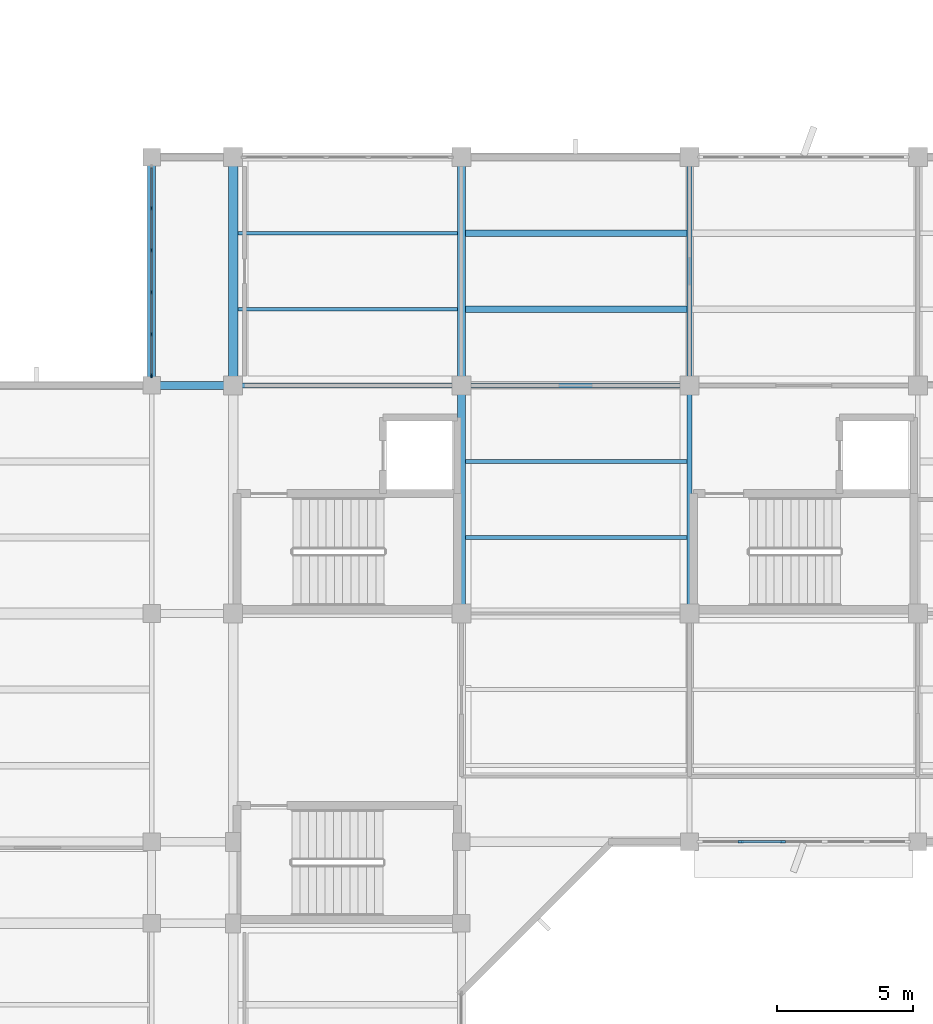
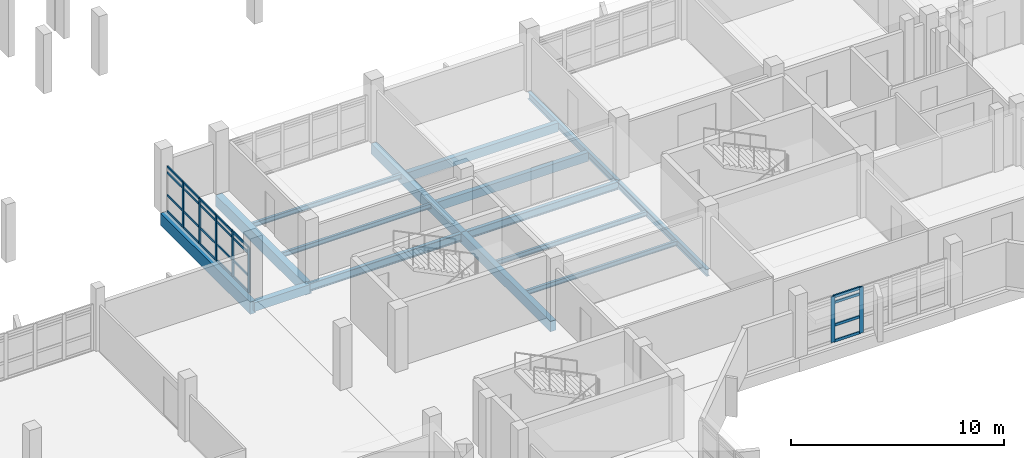
# One storey, part 39 of 104: 31 members, 15 beams, 2 elements without a shape of their own.
"""IFC4 building model written with IfcOpenShell, lengths in metres."""

from ifc_helpers import new_model, si_unit, direction, frame, origin, origin_2d, place, context, subcontext, project, spatial, rectangle, i_section, extrude, material, material_profile, profile_set, type_object, element, aggregate, save


model = new_model("IFC4")

# Units and contexts
model_context = context("Model", 3, precision=1e-05, world=origin(), true_north=direction((0.0, 1.0)))
body_context = subcontext(model_context, "Body", "Model", "MODEL_VIEW")
ifc_project = project(units=[si_unit("LENGTHUNIT", "METRE"), si_unit("AREAUNIT", "SQUARE_METRE"), si_unit("VOLUMEUNIT", "CUBIC_METRE"), si_unit("PLANEANGLEUNIT", "RADIAN"), si_unit("MASSUNIT", "GRAM", prefix="KILO")], contexts=[model_context])

# Site, building, storey
site_placement = place(None, origin())
site = spatial("IfcSite", under=ifc_project, at=site_placement, CompositionType="ELEMENT")
building_placement = place(site_placement, origin())
building = spatial("IfcBuilding", under=site, at=building_placement, Name="Vanh Quang Courtyard School", CompositionType="ELEMENT")
storey_placement = place(building_placement, frame((0.0, 0.0, 4.199951171875)))
storey = spatial("IfcBuildingStorey", under=building, at=storey_placement, Name="L01", CompositionType="ELEMENT", Elevation=4.199951171875)

# Beams
ifc_material_1 = material(Name="Concrete C35/45", Category="concrete")
ifc_material_profile_1 = material_profile(ifc_material_1, rectangle(XDim=0.300048828125, YDim=0.5, at=origin_2d()), Name="RC-BM 300x500")
ifc_profile_set_1 = profile_set([ifc_material_profile_1], Name="Concrete C35/45")
beam_type_1 = type_object("IfcBeamType", Name="BM-RC-300x500", PredefinedType="BEAM", material=ifc_profile_set_1)
beam_1_placement = place(storey_placement, frame((74.39990234375, 88.199951171875, -0.530029296875), z_axis=(1.0, 0.0, 0.0), x_axis=(0.0, 1.0, 0.0)))
element("IfcBeam", 1, at=beam_1_placement, inside=storey, type_object=beam_type_1, Name="Beam B-08 (L01)", PredefinedType="BEAM", context=body_context, shape_type="SweptSolid", body=[
    extrude(rectangle(XDim=0.300048828125, YDim=0.5, at=origin_2d()), origin(), (0.0, 0.0, 1.0), 3.0),
])
ifc_material_profile_2 = material_profile(ifc_material_1, rectangle(XDim=0.300048828125, YDim=0.60009765625, at=origin_2d()), Name="RC-BM 300x600")
ifc_profile_set_2 = profile_set([ifc_material_profile_2], Name="Concrete C35/45")
beam_type_2 = type_object("IfcBeamType", Name="BM-RC-300x600", PredefinedType="BEAM", material=ifc_profile_set_2)
beam_2_placement = place(storey_placement, frame((85.800048828125, 79.800048828125, -0.579833984375), z_axis=(0.0, 1.0, 0.0), x_axis=(-1.0, 0.0, 0.0)))
element("IfcBeam", 2, at=beam_2_placement, inside=storey, type_object=beam_type_2, Name="Beam B-06 (L01)", PredefinedType="BEAM", context=body_context, shape_type="SweptSolid", body=[
    extrude(rectangle(XDim=0.300048828125, YDim=0.60009765625, at=origin_2d()), origin(), (0.0, 0.0, 1.0), 8.39990234375),
])
beam_3_placement = place(storey_placement, frame((85.800048828125, 88.199951171875, -0.579833984375), z_axis=(0.0, 1.0, 0.0), x_axis=(-1.0, 0.0, 0.0)))
element("IfcBeam", 3, at=beam_3_placement, inside=storey, type_object=beam_type_2, Name="Beam B-06 (L01)", PredefinedType="BEAM", context=body_context, shape_type="SweptSolid", body=[
    extrude(rectangle(XDim=0.300048828125, YDim=0.60009765625, at=origin_2d()), origin(), (0.0, 0.0, 1.0), 8.400146484375),
])
ifc_material_profile_3 = material_profile(ifc_material_1, rectangle(XDim=0.35009765625, YDim=0.64990234375, at=origin_2d()), Name="RC-BM 350x650")
ifc_profile_set_3 = profile_set([ifc_material_profile_3], Name="Concrete C35/45")
beam_type_3 = type_object("IfcBeamType", Name="BM-RC-350x650", PredefinedType="BEAM", material=ifc_profile_set_3)
beam_4_placement = place(storey_placement, frame((77.39990234375, 88.199951171875, -0.60498046875), z_axis=(0.0, 1.0, 0.0), x_axis=(-1.0, 0.0, 0.0)))
element("IfcBeam", 4, at=beam_4_placement, inside=storey, type_object=beam_type_3, Name="Beam B-05 (L01)", PredefinedType="BEAM", context=body_context, shape_type="SweptSolid", body=[
    extrude(rectangle(XDim=0.35009765625, YDim=0.64990234375, at=origin_2d()), origin(), (0.0, 0.0, 1.0), 8.400146484375),
])
ifc_material_profile_4 = material_profile(ifc_material_1, rectangle(XDim=0.300048828125, YDim=0.699951171875, at=origin_2d()), Name="RC-SP 300x700")
ifc_profile_set_4 = profile_set([ifc_material_profile_4], Name="Concrete C35/45")
beam_type_4 = type_object("IfcBeamType", Name="BM-SP-300x700", PredefinedType="SPANDREL", material=ifc_profile_set_4)
beam_5_placement = place(storey_placement, frame((74.39990234375, 88.199951171875, -0.6298828125), z_axis=(0.0, 1.0, 0.0), x_axis=(-1.0, 0.0, 0.0)))
element("IfcBeam", 5, at=beam_5_placement, inside=storey, type_object=beam_type_4, Name="Beam BS-01 (L01)", PredefinedType="SPANDREL", context=body_context, shape_type="SweptSolid", body=[
    extrude(rectangle(XDim=0.300048828125, YDim=0.699951171875, at=origin_2d()), origin(), (0.0, 0.0, 1.0), 8.400146484375),
])
ifc_material_2 = material(Name="Structural steel EN 10025-2 S355J2", Category="steel")
ifc_material_profile_5 = material_profile(ifc_material_2, i_section(OverallWidth=0.179931640625, OverallDepth=0.39990234375, WebThickness=0.008544921875, FlangeThickness=0.013427734375, FilletRadius=0.02099609375, at=origin_2d()), Name="IPE 400")
ifc_profile_set_5 = profile_set([ifc_material_profile_5], Name="Structural steel EN 10025-2 S355J2")
beam_type_5 = type_object("IfcBeamType", Name="BM-STL-IPE400", PredefinedType="BEAM", material=ifc_profile_set_5)
beam_6_placement = place(storey_placement, frame((94.199951171875, 79.800048828125, -0.47998046875), z_axis=(0.0, 1.0, 0.0), x_axis=(-1.0, 0.0, 0.0)))
element("IfcBeam", 6, at=beam_6_placement, inside=storey, type_object=beam_type_5, Name="Beam SB-05 (L01)", PredefinedType="BEAM", context=body_context, shape_type="SweptSolid", body=[
    extrude(i_section(OverallWidth=0.179931640625, OverallDepth=0.39990234375, WebThickness=0.008544921875, FlangeThickness=0.013427734375, FilletRadius=0.02099609375, at=origin_2d()), origin(), (0.0, 0.0, 1.0), 8.39990234375),
])
beam_7_placement = place(storey_placement, frame((94.199951171875, 88.199951171875, -0.47998046875), z_axis=(0.0, 1.0, 0.0), x_axis=(-1.0, 0.0, 0.0)))
element("IfcBeam", 7, at=beam_7_placement, inside=storey, type_object=beam_type_5, Name="Beam SB-05 (L01)", PredefinedType="BEAM", context=body_context, shape_type="SweptSolid", body=[
    extrude(i_section(OverallWidth=0.179931640625, OverallDepth=0.39990234375, WebThickness=0.008544921875, FlangeThickness=0.013427734375, FilletRadius=0.02099609375, at=origin_2d()), origin(), (0.0, 0.0, 1.0), 8.400146484375),
])
ifc_material_profile_6 = material_profile(ifc_material_2, i_section(OverallWidth=0.18994140625, OverallDepth=0.449951171875, WebThickness=0.009521484375, FlangeThickness=0.0146484375, FilletRadius=0.02099609375, at=origin_2d()), Name="IPE 450")
ifc_profile_set_6 = profile_set([ifc_material_profile_6], Name="Structural steel EN 10025-2 S355J2")
beam_type_6 = type_object("IfcBeamType", Name="BM-STL-IPE450", PredefinedType="BEAM", material=ifc_profile_set_6)
beam_8_placement = place(storey_placement, frame((77.39990234375, 88.199951171875, -0.5048828125), z_axis=(1.0, 0.0, 0.0), x_axis=(0.0, 1.0, 0.0)))
element("IfcBeam", 8, at=beam_8_placement, inside=storey, type_object=beam_type_6, Name="Beam SB-04 (L01)", PredefinedType="BEAM", context=body_context, shape_type="SweptSolid", body=[
    extrude(i_section(OverallWidth=0.18994140625, OverallDepth=0.449951171875, WebThickness=0.009521484375, FlangeThickness=0.0146484375, FilletRadius=0.02099609375, at=origin_2d()), origin(), (0.0, 0.0, 1.0), 8.400146484375),
])
beam_9_placement = place(storey_placement, frame((85.800048828125, 88.199951171875, -0.5048828125), z_axis=(1.0, 0.0, 0.0), x_axis=(0.0, 1.0, 0.0)))
element("IfcBeam", 9, at=beam_9_placement, inside=storey, type_object=beam_type_6, Name="Beam SB-04 (L01)", PredefinedType="BEAM", context=body_context, shape_type="SweptSolid", body=[
    extrude(i_section(OverallWidth=0.18994140625, OverallDepth=0.449951171875, WebThickness=0.009521484375, FlangeThickness=0.0146484375, FilletRadius=0.02099609375, at=origin_2d()), origin(), (0.0, 0.0, 1.0), 8.39990234375),
])

# Curtain wall, members
ifc_material_3 = material(Name="Thermally broken aluminium unitised curtain wall", Category="aluminium")
curtain_wall_type = type_object("IfcCurtainWallType", Name="CW-SYS-21", PredefinedType="NOTDEFINED", material=ifc_material_3)
curtain_wall_1_placement = place(storey_placement, origin())
curtain_wall_1 = element("IfcCurtainWall", 10, at=curtain_wall_1_placement, inside=storey, type_object=curtain_wall_type, Name="Curtain Wall CW-21 (L01)", PredefinedType="NOTDEFINED")
ifc_material_4 = material(Name="Anodised aluminium 6063-T6", Category="aluminium")
ifc_material_profile_7 = material_profile(ifc_material_4, rectangle(XDim=0.06005859375, YDim=0.159912109375, at=origin_2d()), Name="ALU-MUL 60x160")
ifc_profile_set_7 = profile_set([ifc_material_profile_7], Name="Anodised aluminium 6063-T6")
member_type_1 = type_object("IfcMemberType", Name="CW-MUL-60x160", PredefinedType="MULLION", material=ifc_profile_set_7)
member_1_placement = place(storey_placement, frame((74.39990234375, 88.56298828125, 0.0), z_axis=(0.0, 0.0, 1.0), x_axis=(-1.0, 0.0, 0.0)))
member_1 = element("IfcMember", 11, at=member_1_placement, type_object=member_type_1, Name="CW-21 mullion 1", PredefinedType="MULLION", context=body_context, shape_type="SweptSolid", body=[
    extrude(rectangle(XDim=0.06005859375, YDim=0.159912109375, at=origin_2d()), origin(), (0.0, 0.0, 1.0), 2.60009765625),
])
member_2_placement = place(storey_placement, frame((74.39990234375, 90.079833984375, 0.0), z_axis=(0.0, 0.0, 1.0), x_axis=(-1.0, 0.0, 0.0)))
member_2 = element("IfcMember", 12, at=member_2_placement, type_object=member_type_1, Name="CW-21 mullion 2", PredefinedType="MULLION", context=body_context, shape_type="SweptSolid", body=[
    extrude(rectangle(XDim=0.06005859375, YDim=0.159912109375, at=origin_2d()), origin(), (0.0, 0.0, 1.0), 2.60009765625),
])
member_3_placement = place(storey_placement, frame((74.39990234375, 91.626708984375, 0.0), z_axis=(0.0, 0.0, 1.0), x_axis=(-1.0, 0.0, 0.0)))
member_3 = element("IfcMember", 13, at=member_3_placement, type_object=member_type_1, Name="CW-21 mullion 3", PredefinedType="MULLION", context=body_context, shape_type="SweptSolid", body=[
    extrude(rectangle(XDim=0.06005859375, YDim=0.159912109375, at=origin_2d()), origin(), (0.0, 0.0, 1.0), 2.60009765625),
])
member_4_placement = place(storey_placement, frame((74.39990234375, 93.17333984375, 0.0), z_axis=(0.0, 0.0, 1.0), x_axis=(-1.0, 0.0, 0.0)))
member_4 = element("IfcMember", 14, at=member_4_placement, type_object=member_type_1, Name="CW-21 mullion 4", PredefinedType="MULLION", context=body_context, shape_type="SweptSolid", body=[
    extrude(rectangle(XDim=0.06005859375, YDim=0.159912109375, at=origin_2d()), origin(), (0.0, 0.0, 1.0), 2.60009765625),
])
member_5_placement = place(storey_placement, frame((74.39990234375, 94.72021484375, 0.0), z_axis=(0.0, 0.0, 1.0), x_axis=(-1.0, 0.0, 0.0)))
member_5 = element("IfcMember", 15, at=member_5_placement, type_object=member_type_1, Name="CW-21 mullion 5", PredefinedType="MULLION", context=body_context, shape_type="SweptSolid", body=[
    extrude(rectangle(XDim=0.06005859375, YDim=0.159912109375, at=origin_2d()), origin(), (0.0, 0.0, 1.0), 2.60009765625),
])

curtain_wall_2_placement = place(storey_placement, origin())
curtain_wall_2 = element("IfcCurtainWall", 16, at=curtain_wall_2_placement, inside=storey, type_object=curtain_wall_type, Name="Curtain Wall CW-21 (L01)", PredefinedType="NOTDEFINED")
ifc_material_profile_8 = material_profile(ifc_material_4, rectangle(XDim=0.080078125, YDim=0.199951171875, at=origin_2d()), Name="ALU-MUL 80x200")
ifc_profile_set_8 = profile_set([ifc_material_profile_8], Name="Anodised aluminium 6063-T6")
member_type_2 = type_object("IfcMemberType", Name="CW-MUL-80x200", PredefinedType="MULLION", material=ifc_profile_set_8)
member_6_placement = place(storey_placement, frame((97.626708984375, 71.39990234375, 0.0), z_axis=(0.0, 0.0, 1.0), x_axis=(0.0, -1.0, 0.0)))
member_6 = element("IfcMember", 17, at=member_6_placement, type_object=member_type_2, Name="CW-21 mullion 4", PredefinedType="MULLION", context=body_context, shape_type="SweptSolid", body=[
    extrude(rectangle(XDim=0.080078125, YDim=0.199951171875, at=origin_2d()), origin(), (0.0, 0.0, 1.0), 2.6201171875),
])
member_7_placement = place(storey_placement, frame((96.079833984375, 71.39990234375, 0.0), z_axis=(0.0, 0.0, 1.0), x_axis=(0.0, -1.0, 0.0)))
member_7 = element("IfcMember", 18, at=member_7_placement, type_object=member_type_2, Name="CW-21 mullion 5", PredefinedType="MULLION", context=body_context, shape_type="SweptSolid", body=[
    extrude(rectangle(XDim=0.080078125, YDim=0.199951171875, at=origin_2d()), origin(), (0.0, 0.0, 1.0), 2.6201171875),
])

# Member
ifc_material_profile_9 = material_profile(ifc_material_4, rectangle(XDim=0.06005859375, YDim=0.1201171875, at=origin_2d()), Name="ALU-TRN 60x120")
ifc_profile_set_9 = profile_set([ifc_material_profile_9], Name="Anodised aluminium 6063-T6")
member_type_3 = type_object("IfcMemberType", Name="CW-TRN-60x120", PredefinedType="USERDEFINED", material=ifc_profile_set_9)
member_8_placement = place(storey_placement, frame((74.39990234375, 88.593017578125, 0.030029296875), z_axis=(0.0, 1.0, 0.0), x_axis=(-1.0, 0.0, 0.0)))
member_8 = element("IfcMember", 19, at=member_8_placement, type_object=member_type_3, Name="CW-21 transom 1.1", ObjectType="TRANSOM", PredefinedType="USERDEFINED", context=body_context, shape_type="SweptSolid", body=[
    extrude(rectangle(XDim=0.06005859375, YDim=0.1201171875, at=origin_2d()), origin(), (0.0, 0.0, 1.0), 1.456787109375),
])

member_9_placement = place(storey_placement, frame((74.39990234375, 88.593017578125, 0.949951171875), z_axis=(0.0, 1.0, 0.0), x_axis=(-1.0, 0.0, 0.0)))
member_9 = element("IfcMember", 20, at=member_9_placement, type_object=member_type_3, Name="CW-21 transom 1.2", ObjectType="TRANSOM", PredefinedType="USERDEFINED", context=body_context, shape_type="SweptSolid", body=[
    extrude(rectangle(XDim=0.06005859375, YDim=0.1201171875, at=origin_2d()), origin(), (0.0, 0.0, 1.0), 1.456787109375),
])

member_10_placement = place(storey_placement, frame((74.39990234375, 88.593017578125, 2.25), z_axis=(0.0, 1.0, 0.0), x_axis=(-1.0, 0.0, 0.0)))
member_10 = element("IfcMember", 21, at=member_10_placement, type_object=member_type_3, Name="CW-21 transom 1.3", ObjectType="TRANSOM", PredefinedType="USERDEFINED", context=body_context, shape_type="SweptSolid", body=[
    extrude(rectangle(XDim=0.06005859375, YDim=0.1201171875, at=origin_2d()), origin(), (0.0, 0.0, 1.0), 1.456787109375),
])

member_11_placement = place(storey_placement, frame((74.39990234375, 88.593017578125, 2.570068359375), z_axis=(0.0, 1.0, 0.0), x_axis=(-1.0, 0.0, 0.0)))
member_11 = element("IfcMember", 22, at=member_11_placement, type_object=member_type_3, Name="CW-21 transom 1.4", ObjectType="TRANSOM", PredefinedType="USERDEFINED", context=body_context, shape_type="SweptSolid", body=[
    extrude(rectangle(XDim=0.06005859375, YDim=0.1201171875, at=origin_2d()), origin(), (0.0, 0.0, 1.0), 1.456787109375),
])

member_12_placement = place(storey_placement, frame((74.39990234375, 90.10986328125, 0.030029296875), z_axis=(0.0, 1.0, 0.0), x_axis=(-1.0, 0.0, 0.0)))
member_12 = element("IfcMember", 23, at=member_12_placement, type_object=member_type_3, Name="CW-21 transom 2.1", ObjectType="TRANSOM", PredefinedType="USERDEFINED", context=body_context, shape_type="SweptSolid", body=[
    extrude(rectangle(XDim=0.06005859375, YDim=0.1201171875, at=origin_2d()), origin(), (0.0, 0.0, 1.0), 1.48681640625),
])

member_13_placement = place(storey_placement, frame((74.39990234375, 90.10986328125, 0.949951171875), z_axis=(0.0, 1.0, 0.0), x_axis=(-1.0, 0.0, 0.0)))
member_13 = element("IfcMember", 24, at=member_13_placement, type_object=member_type_3, Name="CW-21 transom 2.2", ObjectType="TRANSOM", PredefinedType="USERDEFINED", context=body_context, shape_type="SweptSolid", body=[
    extrude(rectangle(XDim=0.06005859375, YDim=0.1201171875, at=origin_2d()), origin(), (0.0, 0.0, 1.0), 1.48681640625),
])

member_14_placement = place(storey_placement, frame((74.39990234375, 90.10986328125, 2.25), z_axis=(0.0, 1.0, 0.0), x_axis=(-1.0, 0.0, 0.0)))
member_14 = element("IfcMember", 25, at=member_14_placement, type_object=member_type_3, Name="CW-21 transom 2.3", ObjectType="TRANSOM", PredefinedType="USERDEFINED", context=body_context, shape_type="SweptSolid", body=[
    extrude(rectangle(XDim=0.06005859375, YDim=0.1201171875, at=origin_2d()), origin(), (0.0, 0.0, 1.0), 1.48681640625),
])

member_15_placement = place(storey_placement, frame((74.39990234375, 90.10986328125, 2.570068359375), z_axis=(0.0, 1.0, 0.0), x_axis=(-1.0, 0.0, 0.0)))
member_15 = element("IfcMember", 26, at=member_15_placement, type_object=member_type_3, Name="CW-21 transom 2.4", ObjectType="TRANSOM", PredefinedType="USERDEFINED", context=body_context, shape_type="SweptSolid", body=[
    extrude(rectangle(XDim=0.06005859375, YDim=0.1201171875, at=origin_2d()), origin(), (0.0, 0.0, 1.0), 1.48681640625),
])

member_16_placement = place(storey_placement, frame((74.39990234375, 91.656494140625, 0.030029296875), z_axis=(0.0, 1.0, 0.0), x_axis=(-1.0, 0.0, 0.0)))
member_16 = element("IfcMember", 27, at=member_16_placement, type_object=member_type_3, Name="CW-21 transom 3.1", ObjectType="TRANSOM", PredefinedType="USERDEFINED", context=body_context, shape_type="SweptSolid", body=[
    extrude(rectangle(XDim=0.06005859375, YDim=0.1201171875, at=origin_2d()), origin(), (0.0, 0.0, 1.0), 1.48681640625),
])

member_17_placement = place(storey_placement, frame((74.39990234375, 91.656494140625, 0.949951171875), z_axis=(0.0, 1.0, 0.0), x_axis=(-1.0, 0.0, 0.0)))
member_17 = element("IfcMember", 28, at=member_17_placement, type_object=member_type_3, Name="CW-21 transom 3.2", ObjectType="TRANSOM", PredefinedType="USERDEFINED", context=body_context, shape_type="SweptSolid", body=[
    extrude(rectangle(XDim=0.06005859375, YDim=0.1201171875, at=origin_2d()), origin(), (0.0, 0.0, 1.0), 1.48681640625),
])

member_18_placement = place(storey_placement, frame((74.39990234375, 91.656494140625, 2.25), z_axis=(0.0, 1.0, 0.0), x_axis=(-1.0, 0.0, 0.0)))
member_18 = element("IfcMember", 29, at=member_18_placement, type_object=member_type_3, Name="CW-21 transom 3.3", ObjectType="TRANSOM", PredefinedType="USERDEFINED", context=body_context, shape_type="SweptSolid", body=[
    extrude(rectangle(XDim=0.06005859375, YDim=0.1201171875, at=origin_2d()), origin(), (0.0, 0.0, 1.0), 1.48681640625),
])

member_19_placement = place(storey_placement, frame((74.39990234375, 91.656494140625, 2.570068359375), z_axis=(0.0, 1.0, 0.0), x_axis=(-1.0, 0.0, 0.0)))
member_19 = element("IfcMember", 30, at=member_19_placement, type_object=member_type_3, Name="CW-21 transom 3.4", ObjectType="TRANSOM", PredefinedType="USERDEFINED", context=body_context, shape_type="SweptSolid", body=[
    extrude(rectangle(XDim=0.06005859375, YDim=0.1201171875, at=origin_2d()), origin(), (0.0, 0.0, 1.0), 1.48681640625),
])

member_20_placement = place(storey_placement, frame((74.39990234375, 93.203369140625, 0.030029296875), z_axis=(0.0, 1.0, 0.0), x_axis=(-1.0, 0.0, 0.0)))
member_20 = element("IfcMember", 31, at=member_20_placement, type_object=member_type_3, Name="CW-21 transom 4.1", ObjectType="TRANSOM", PredefinedType="USERDEFINED", context=body_context, shape_type="SweptSolid", body=[
    extrude(rectangle(XDim=0.06005859375, YDim=0.1201171875, at=origin_2d()), origin(), (0.0, 0.0, 1.0), 1.48681640625),
])

member_21_placement = place(storey_placement, frame((74.39990234375, 93.203369140625, 0.949951171875), z_axis=(0.0, 1.0, 0.0), x_axis=(-1.0, 0.0, 0.0)))
member_21 = element("IfcMember", 32, at=member_21_placement, type_object=member_type_3, Name="CW-21 transom 4.2", ObjectType="TRANSOM", PredefinedType="USERDEFINED", context=body_context, shape_type="SweptSolid", body=[
    extrude(rectangle(XDim=0.06005859375, YDim=0.1201171875, at=origin_2d()), origin(), (0.0, 0.0, 1.0), 1.48681640625),
])

member_22_placement = place(storey_placement, frame((74.39990234375, 93.203369140625, 2.25), z_axis=(0.0, 1.0, 0.0), x_axis=(-1.0, 0.0, 0.0)))
member_22 = element("IfcMember", 33, at=member_22_placement, type_object=member_type_3, Name="CW-21 transom 4.3", ObjectType="TRANSOM", PredefinedType="USERDEFINED", context=body_context, shape_type="SweptSolid", body=[
    extrude(rectangle(XDim=0.06005859375, YDim=0.1201171875, at=origin_2d()), origin(), (0.0, 0.0, 1.0), 1.48681640625),
])

member_23_placement = place(storey_placement, frame((74.39990234375, 93.203369140625, 2.570068359375), z_axis=(0.0, 1.0, 0.0), x_axis=(-1.0, 0.0, 0.0)))
member_23 = element("IfcMember", 34, at=member_23_placement, type_object=member_type_3, Name="CW-21 transom 4.4", ObjectType="TRANSOM", PredefinedType="USERDEFINED", context=body_context, shape_type="SweptSolid", body=[
    extrude(rectangle(XDim=0.06005859375, YDim=0.1201171875, at=origin_2d()), origin(), (0.0, 0.0, 1.0), 1.48681640625),
])

member_24_placement = place(storey_placement, frame((74.39990234375, 94.750244140625, 0.030029296875), z_axis=(0.0, 1.0, 0.0), x_axis=(-1.0, 0.0, 0.0)))
member_24 = element("IfcMember", 35, at=member_24_placement, type_object=member_type_3, Name="CW-21 transom 5.1", ObjectType="TRANSOM", PredefinedType="USERDEFINED", context=body_context, shape_type="SweptSolid", body=[
    extrude(rectangle(XDim=0.06005859375, YDim=0.1201171875, at=origin_2d()), origin(), (0.0, 0.0, 1.0), 1.456787109375),
])

member_25_placement = place(storey_placement, frame((74.39990234375, 94.750244140625, 0.949951171875), z_axis=(0.0, 1.0, 0.0), x_axis=(-1.0, 0.0, 0.0)))
member_25 = element("IfcMember", 36, at=member_25_placement, type_object=member_type_3, Name="CW-21 transom 5.2", ObjectType="TRANSOM", PredefinedType="USERDEFINED", context=body_context, shape_type="SweptSolid", body=[
    extrude(rectangle(XDim=0.06005859375, YDim=0.1201171875, at=origin_2d()), origin(), (0.0, 0.0, 1.0), 1.456787109375),
])

member_26_placement = place(storey_placement, frame((74.39990234375, 94.750244140625, 2.25), z_axis=(0.0, 1.0, 0.0), x_axis=(-1.0, 0.0, 0.0)))
member_26 = element("IfcMember", 37, at=member_26_placement, type_object=member_type_3, Name="CW-21 transom 5.3", ObjectType="TRANSOM", PredefinedType="USERDEFINED", context=body_context, shape_type="SweptSolid", body=[
    extrude(rectangle(XDim=0.06005859375, YDim=0.1201171875, at=origin_2d()), origin(), (0.0, 0.0, 1.0), 1.456787109375),
])

member_27_placement = place(storey_placement, frame((74.39990234375, 94.750244140625, 2.570068359375), z_axis=(0.0, 1.0, 0.0), x_axis=(-1.0, 0.0, 0.0)))
member_27 = element("IfcMember", 38, at=member_27_placement, type_object=member_type_3, Name="CW-21 transom 5.4", ObjectType="TRANSOM", PredefinedType="USERDEFINED", context=body_context, shape_type="SweptSolid", body=[
    extrude(rectangle(XDim=0.06005859375, YDim=0.1201171875, at=origin_2d()), origin(), (0.0, 0.0, 1.0), 1.456787109375),
])

aggregate(curtain_wall_1, [member_1, member_2, member_3, member_4, member_5, member_8, member_9, member_10, member_11, member_12, member_13, member_14, member_15, member_16, member_17, member_18, member_19, member_20, member_21, member_22, member_23, member_24, member_25, member_26, member_27])

ifc_material_profile_10 = material_profile(ifc_material_4, rectangle(XDim=0.080078125, YDim=0.14990234375, at=origin_2d()), Name="ALU-TRN 80x150")
ifc_profile_set_10 = profile_set([ifc_material_profile_10], Name="Anodised aluminium 6063-T6")
member_type_4 = type_object("IfcMemberType", Name="CW-TRN-80x150", PredefinedType="USERDEFINED", material=ifc_profile_set_10)
member_28_placement = place(storey_placement, frame((97.586669921875, 71.39990234375, 0.0400390625), z_axis=(-1.0, 0.0, 0.0), x_axis=(0.0, -1.0, 0.0)))
member_28 = element("IfcMember", 39, at=member_28_placement, type_object=member_type_4, Name="CW-21 transom 4.1", ObjectType="TRANSOM", PredefinedType="USERDEFINED", context=body_context, shape_type="SweptSolid", body=[
    extrude(rectangle(XDim=0.080078125, YDim=0.14990234375, at=origin_2d()), origin(), (0.0, 0.0, 1.0), 1.466796875),
])

member_29_placement = place(storey_placement, frame((97.586669921875, 71.39990234375, 0.949951171875), z_axis=(-1.0, 0.0, 0.0), x_axis=(0.0, -1.0, 0.0)))
member_29 = element("IfcMember", 40, at=member_29_placement, type_object=member_type_4, Name="CW-21 transom 4.2", ObjectType="TRANSOM", PredefinedType="USERDEFINED", context=body_context, shape_type="SweptSolid", body=[
    extrude(rectangle(XDim=0.080078125, YDim=0.14990234375, at=origin_2d()), origin(), (0.0, 0.0, 1.0), 1.466796875),
])

member_30_placement = place(storey_placement, frame((97.586669921875, 71.39990234375, 2.25), z_axis=(-1.0, 0.0, 0.0), x_axis=(0.0, -1.0, 0.0)))
member_30 = element("IfcMember", 41, at=member_30_placement, type_object=member_type_4, Name="CW-21 transom 4.3", ObjectType="TRANSOM", PredefinedType="USERDEFINED", context=body_context, shape_type="SweptSolid", body=[
    extrude(rectangle(XDim=0.080078125, YDim=0.14990234375, at=origin_2d()), origin(), (0.0, 0.0, 1.0), 1.466796875),
])

member_31_placement = place(storey_placement, frame((97.586669921875, 71.39990234375, 2.580078125), z_axis=(-1.0, 0.0, 0.0), x_axis=(0.0, -1.0, 0.0)))
member_31 = element("IfcMember", 42, at=member_31_placement, type_object=member_type_4, Name="CW-21 transom 4.4", ObjectType="TRANSOM", PredefinedType="USERDEFINED", context=body_context, shape_type="SweptSolid", body=[
    extrude(rectangle(XDim=0.080078125, YDim=0.14990234375, at=origin_2d()), origin(), (0.0, 0.0, 1.0), 1.466796875),
])

aggregate(curtain_wall_2, [member_6, member_7, member_28, member_29, member_30, member_31])

# Beams
ifc_material_5 = material(Name="Concrete C30/37", Category="concrete")
ifc_material_profile_11 = material_profile(ifc_material_5, rectangle(XDim=0.25, YDim=0.5, at=origin_2d()), Name="RC-JST 250x500")
ifc_profile_set_11 = profile_set([ifc_material_profile_11], Name="Concrete C30/37")
beam_type_7 = type_object("IfcBeamType", Name="JST-RC-250x500", PredefinedType="JOIST", material=ifc_profile_set_11)
for number, where, z_axis, x_axis, name in (
    (43, (85.949951171875, 91.0, -0.530029296875), (1.0, 0.0, 0.0), (0.0, 1.0, 0.0), "Beam BJ-01 (L01)"),
    (44, (85.949951171875, 93.800048828125, -0.530029296875), (1.0, 0.0, 0.0), (0.0, 1.0, 0.0), "Beam BJ-01 (L01)"),
):
    element("IfcBeam", number, at=place(storey_placement, frame(where, z_axis=z_axis, x_axis=x_axis)), inside=storey, type_object=beam_type_7, Name=name, PredefinedType="JOIST", context=body_context, shape_type="SweptSolid", body=[
        extrude(rectangle(XDim=0.25, YDim=0.5, at=origin_2d()), origin(), (0.0, 0.0, 1.0), 8.16015625),
    ])
ifc_material_profile_12 = material_profile(ifc_material_2, i_section(OverallWidth=0.135009765625, OverallDepth=0.27001953125, WebThickness=0.006591796875, FlangeThickness=0.01025390625, FilletRadius=0.014892578125, at=origin_2d()), Name="IPE 270")
ifc_profile_set_12 = profile_set([ifc_material_profile_12], Name="Structural steel EN 10025-2 S355J2")
beam_type_8 = type_object("IfcBeamType", Name="JST-STL-IPE270", PredefinedType="JOIST", material=ifc_profile_set_12)
for number, where, z_axis, x_axis, name in (
    (45, (77.574951171875, 91.0, -0.4150390625), (1.0, 0.0, 0.0), (0.0, 1.0, 0.0), "Beam SJ-03 (L01)"),
    (46, (77.574951171875, 93.800048828125, -0.4150390625), (1.0, 0.0, 0.0), (0.0, 1.0, 0.0), "Beam SJ-03 (L01)"),
):
    element("IfcBeam", number, at=place(storey_placement, frame(where, z_axis=z_axis, x_axis=x_axis)), inside=storey, type_object=beam_type_8, Name=name, PredefinedType="JOIST", context=body_context, shape_type="SweptSolid", body=[
        extrude(i_section(OverallWidth=0.135009765625, OverallDepth=0.27001953125, WebThickness=0.006591796875, FlangeThickness=0.01025390625, FilletRadius=0.014892578125, at=origin_2d()), origin(), (0.0, 0.0, 1.0), 8.074951171875),
    ])
for number, where, z_axis, x_axis, name in (
    (47, (85.949951171875, 82.60009765625, -0.4150390625), (1.0, 0.0, 0.0), (0.0, 1.0, 0.0), "Beam SJ-03 (L01)"),
    (48, (85.949951171875, 85.39990234375, -0.4150390625), (1.0, 0.0, 0.0), (0.0, 1.0, 0.0), "Beam SJ-03 (L01)"),
):
    element("IfcBeam", number, at=place(storey_placement, frame(where, z_axis=z_axis, x_axis=x_axis)), inside=storey, type_object=beam_type_8, Name=name, PredefinedType="JOIST", context=body_context, shape_type="SweptSolid", body=[
        extrude(i_section(OverallWidth=0.135009765625, OverallDepth=0.27001953125, WebThickness=0.006591796875, FlangeThickness=0.01025390625, FilletRadius=0.014892578125, at=origin_2d()), origin(), (0.0, 0.0, 1.0), 8.16015625),
    ])

save(model, "model.ifc")
